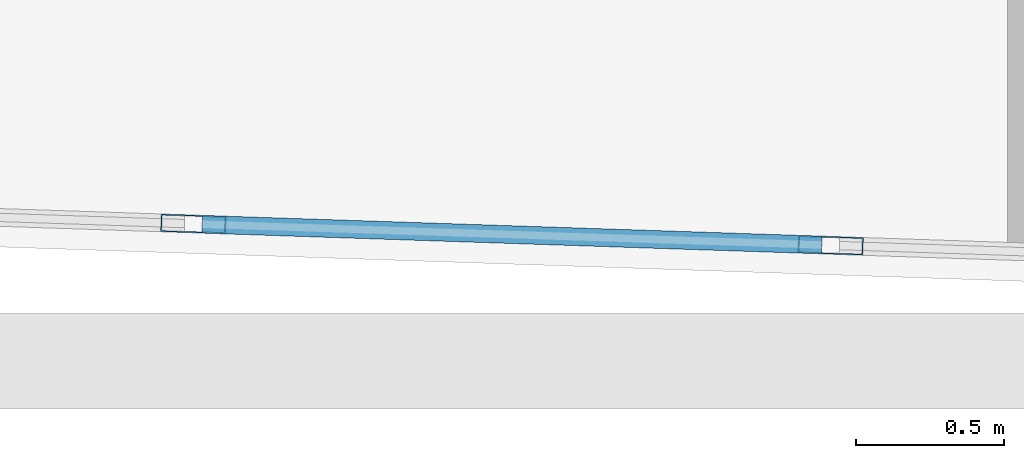
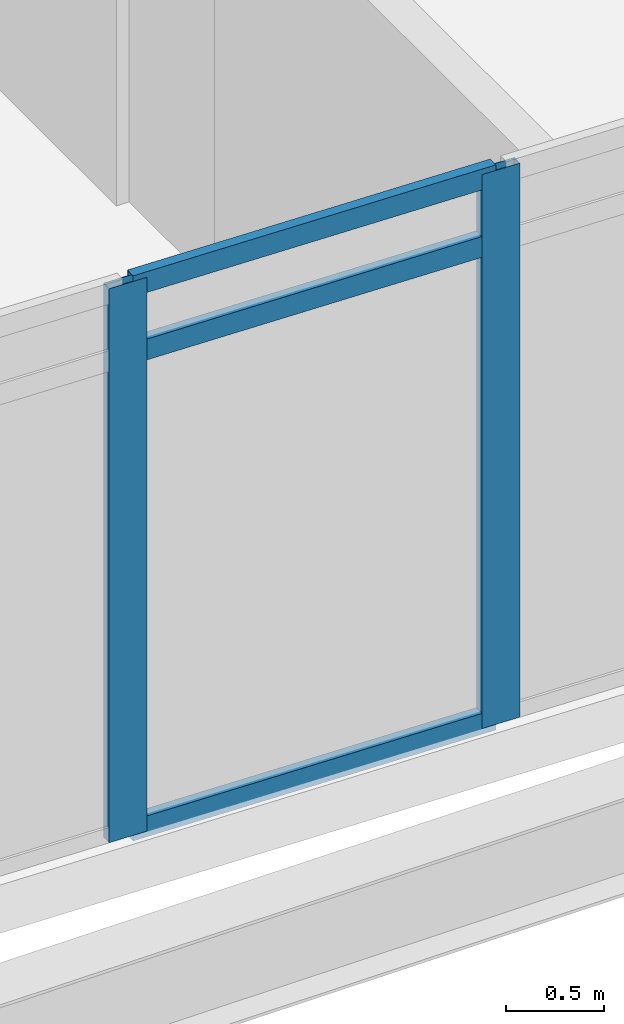
# One storey, part 5 of 29: 5 members, 1 element without a shape of its own.
"""IFC4 building model written with IfcOpenShell, lengths in metres."""

from ifc_helpers import new_model, si_unit, direction, frame, origin, origin_2d, place, context, subcontext, project, spatial, hollow_rectangle, extrude, material, material_profile, profile_set, type_object, element, aggregate, save


model = new_model("IFC4")

# Units and contexts
model_context = context("Model", 3, precision=1e-05, world=origin(), true_north=direction((0.0, 1.0)))
body_context = subcontext(model_context, "Body", "Model", "MODEL_VIEW")
ifc_project = project(units=[si_unit("LENGTHUNIT", "METRE"), si_unit("AREAUNIT", "SQUARE_METRE"), si_unit("VOLUMEUNIT", "CUBIC_METRE"), si_unit("PLANEANGLEUNIT", "RADIAN"), si_unit("MASSUNIT", "GRAM", prefix="KILO")], contexts=[model_context])

# Site, building, storey
site_placement = place(None, origin())
site = spatial("IfcSite", under=ifc_project, at=site_placement, CompositionType="ELEMENT")
building_placement = place(site_placement, origin())
building = spatial("IfcBuilding", under=site, at=building_placement, Name="Ostrander Bayou Hotel Tower", CompositionType="ELEMENT")
storey_placement = place(building_placement, frame((0.0, 0.0, 205.75)))
storey = spatial("IfcBuildingStorey", under=building, at=storey_placement, Name="L51", CompositionType="ELEMENT", Elevation=205.75)

# Curtain wall, members
ifc_material_1 = material(Name="Aluminium and clear glass", Category="aluminium")
curtain_wall_type = type_object("IfcCurtainWallType", Name="CW-BAR glazed wall", PredefinedType="NOTDEFINED", material=ifc_material_1)
curtain_wall_placement = place(storey_placement, origin())
curtain_wall = element("IfcCurtainWall", 1, at=curtain_wall_placement, inside=storey, type_object=curtain_wall_type, Name="CW-BAR L51:SB4S:T", PredefinedType="NOTDEFINED")
ifc_material_2 = material(Name="Aluminium", Category="aluminium")
ifc_material_profile_1 = material_profile(ifc_material_2, hollow_rectangle(XDim=0.06005859375, YDim=0.219970703125, WallThickness=0.00390625, at=origin_2d()))
ifc_profile_set_1 = profile_set([ifc_material_profile_1], Name="Aluminium")
member_type_1 = type_object("IfcMemberType", Name="CW-BR mullion 60 x 220 mm", PredefinedType="MULLION", material=ifc_profile_set_1)
member_1_placement = place(storey_placement, frame((1.077880859375, -29.68603515625, 0.0), z_axis=(0.0, 0.0, 1.0), x_axis=(0.03350511268, 0.999438546097, 0.0)))
member_1 = element("IfcMember", 2, at=member_1_placement, type_object=member_type_1, Name="CW-BAR mullion 7", PredefinedType="MULLION", context=body_context, shape_type="SweptSolid", body=[
    extrude(hollow_rectangle(XDim=0.06005859375, YDim=0.219970703125, WallThickness=0.00390625, at=origin_2d()), origin(), (0.0, 0.0, 1.0), 3.449951171875),
])
member_2_placement = place(storey_placement, frame((3.23388671875, -29.75830078125, 0.0), z_axis=(0.0, 0.0, 1.0), x_axis=(0.03350511268, 0.999438546097, 0.0)))
member_2 = element("IfcMember", 3, at=member_2_placement, type_object=member_type_1, Name="CW-BAR mullion 8", PredefinedType="MULLION", context=body_context, shape_type="SweptSolid", body=[
    extrude(hollow_rectangle(XDim=0.06005859375, YDim=0.219970703125, WallThickness=0.00390625, at=origin_2d()), origin(), (0.0, 0.0, 1.0), 3.449951171875),
])
ifc_material_3 = material(Name="Aluminium", Category="aluminium")
ifc_material_profile_2 = material_profile(ifc_material_3, hollow_rectangle(XDim=0.06005859375, YDim=0.1298828125, WallThickness=0.00390625, at=origin_2d()))
ifc_profile_set_2 = profile_set([ifc_material_profile_2], Name="Aluminium")
member_type_2 = type_object("IfcMemberType", Name="CW-BR transom 60 x 130 mm", PredefinedType="USERDEFINED", material=ifc_profile_set_2)
member_3_placement = place(storey_placement, frame((1.10791015625, -29.687255859375, 0.030029296875), z_axis=(0.999441672059, -0.033411736736, 0.0), x_axis=(0.033411736736, 0.999441672059, 0.0)))
member_3 = element("IfcMember", 4, at=member_3_placement, type_object=member_type_2, Name="CW-BAR transom 7.1", ObjectType="TRANSOM", PredefinedType="USERDEFINED", context=body_context, shape_type="SweptSolid", body=[
    extrude(hollow_rectangle(XDim=0.06005859375, YDim=0.1298828125, WallThickness=0.00390625, at=origin_2d()), origin(), (0.0, 0.0, 1.0), 2.09716796875),
])
member_4_placement = place(storey_placement, frame((1.10791015625, -29.687255859375, 3.0), z_axis=(0.999441672059, -0.033411736736, 0.0), x_axis=(0.033411736736, 0.999441672059, 0.0)))
member_4 = element("IfcMember", 5, at=member_4_placement, type_object=member_type_2, Name="CW-BAR transom 7.2", ObjectType="TRANSOM", PredefinedType="USERDEFINED", context=body_context, shape_type="SweptSolid", body=[
    extrude(hollow_rectangle(XDim=0.06005859375, YDim=0.1298828125, WallThickness=0.00390625, at=origin_2d()), origin(), (0.0, 0.0, 1.0), 2.09716796875),
])
member_5_placement = place(storey_placement, frame((1.10791015625, -29.687255859375, 3.419921875), z_axis=(0.999441672059, -0.033411736736, 0.0), x_axis=(0.033411736736, 0.999441672059, 0.0)))
member_5 = element("IfcMember", 6, at=member_5_placement, type_object=member_type_2, Name="CW-BAR transom 7.3", ObjectType="TRANSOM", PredefinedType="USERDEFINED", context=body_context, shape_type="SweptSolid", body=[
    extrude(hollow_rectangle(XDim=0.06005859375, YDim=0.1298828125, WallThickness=0.00390625, at=origin_2d()), origin(), (0.0, 0.0, 1.0), 2.09716796875),
])
aggregate(curtain_wall, [member_1, member_2, member_3, member_4, member_5])

save(model, "model.ifc")
